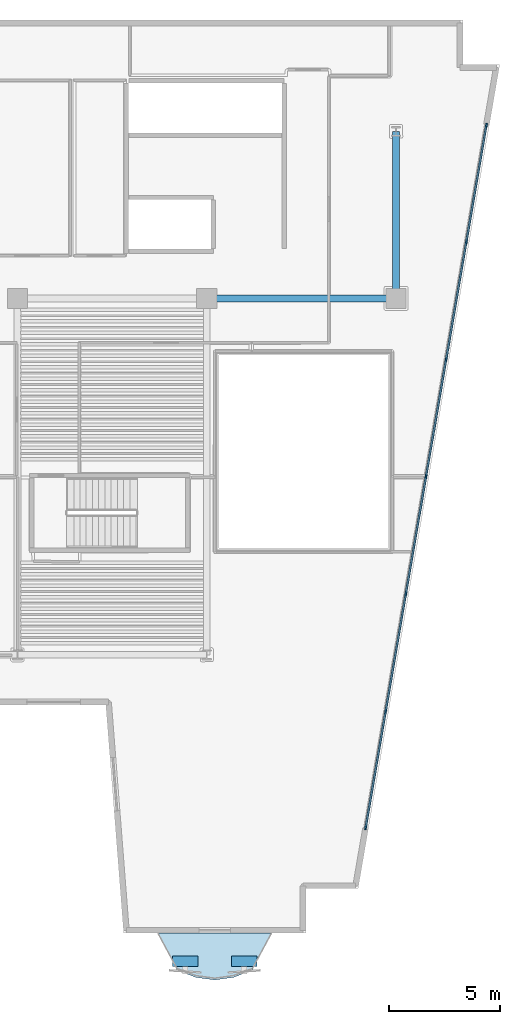
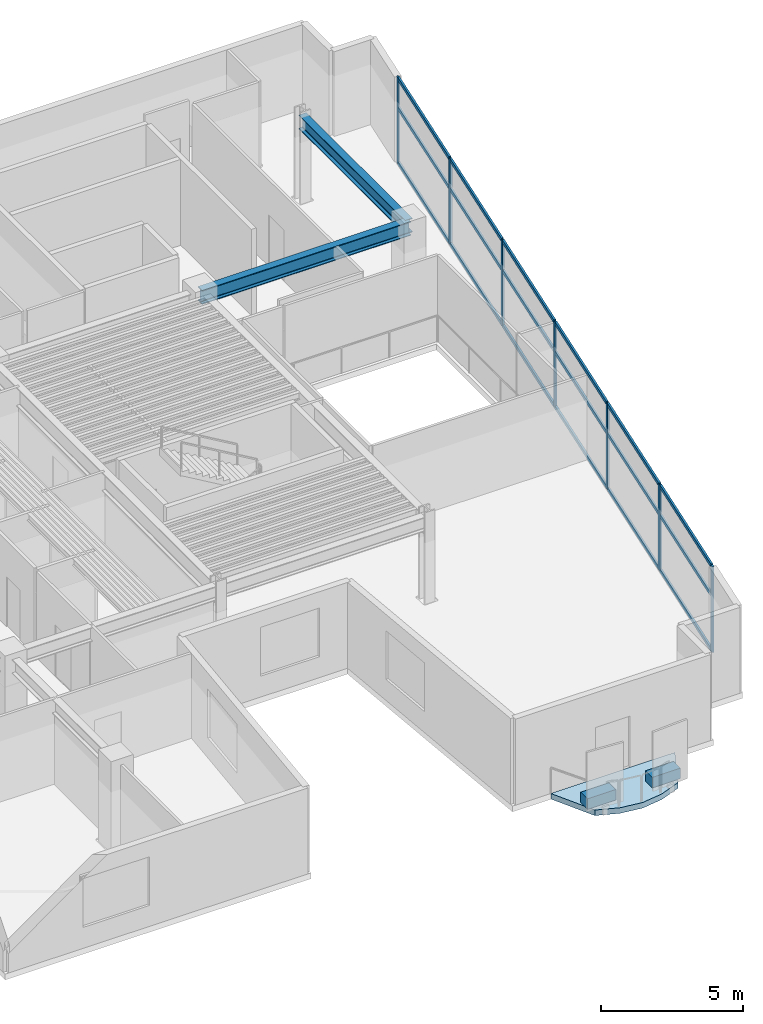
# One storey, part 2 of 10: 25 members, 2 beams, 2 plates, 1 slab, 1 element without a shape of its own.
"""IFC4 building model written with IfcOpenShell, lengths in metres."""

from ifc_helpers import new_model, si_unit, direction, frame, origin, origin_2d, place, context, subcontext, project, spatial, polyline, rectangle, i_section, outline, extrude, material, layer, layer_set, material_profile, profile_set, type_object, element, aggregate, save


model = new_model("IFC4")

# Units and contexts
model_context = context("Model", 3, precision=1e-05, world=origin(), true_north=direction((0.0, 1.0)))
body_context = subcontext(model_context, "Body", "Model", "MODEL_VIEW")
ifc_project = project(units=[si_unit("LENGTHUNIT", "METRE"), si_unit("AREAUNIT", "SQUARE_METRE"), si_unit("VOLUMEUNIT", "CUBIC_METRE"), si_unit("PLANEANGLEUNIT", "RADIAN"), si_unit("MASSUNIT", "GRAM", prefix="KILO")], contexts=[model_context])

# Site, building, storey
site_placement = place(None, origin())
site = spatial("IfcSite", under=ifc_project, at=site_placement, CompositionType="ELEMENT")
building_placement = place(site_placement, origin())
building = spatial("IfcBuilding", under=site, at=building_placement, Name="Caeloran Harvest Quay", CompositionType="ELEMENT")
storey_placement = place(building_placement, frame((0.0, 0.0, 183.75)))
storey = spatial("IfcBuildingStorey", under=building, at=storey_placement, Name="L43", CompositionType="ELEMENT", Elevation=183.75)

# Beams
ifc_material_1 = material(Name="Steel S355J2", Category="steel")
ifc_material_profile_1 = material_profile(ifc_material_1, i_section(OverallWidth=0.300048828125, OverallDepth=0.60009765625, WebThickness=0.015380859375, FlangeThickness=0.030029296875, FilletRadius=0.027099609375, at=origin_2d()), Name="HE 600 B")
ifc_profile_set_1 = profile_set([ifc_material_profile_1], Name="Steel S355J2")
beam_type = type_object("IfcBeamType", Name="BM-PG-3-HE_600_B", PredefinedType="BEAM", material=ifc_profile_set_1)
beam_1_placement = place(storey_placement, frame((34.0, 31.0, 3.39990234375), z_axis=(1.0, 0.0, 0.0), x_axis=(0.0, 1.0, 0.0)))
element("IfcBeam", 1, at=beam_1_placement, inside=storey, type_object=beam_type, Name="L43 Primary East-West Girder Y=31.0", PredefinedType="BEAM", context=body_context, shape_type="SweptSolid", body=[
    extrude(i_section(OverallWidth=0.300048828125, OverallDepth=0.60009765625, WebThickness=0.015380859375, FlangeThickness=0.030029296875, FilletRadius=0.027099609375, at=origin_2d()), origin(), (0.0, 0.0, 1.0), 8.5),
])
beam_2_placement = place(storey_placement, frame((42.5, 31.0, 3.39990234375), z_axis=(0.0, 1.0, 0.0), x_axis=(-1.0, 0.0, 0.0)))
element("IfcBeam", 2, at=beam_2_placement, inside=storey, type_object=beam_type, Name="L43 Primary North-South Girder X=42.5", PredefinedType="BEAM", context=body_context, shape_type="SweptSolid", body=[
    extrude(i_section(OverallWidth=0.300048828125, OverallDepth=0.60009765625, WebThickness=0.015380859375, FlangeThickness=0.030029296875, FilletRadius=0.027099609375, at=origin_2d()), origin(), (0.0, 0.0, 1.0), 7.5),
])

# Curtain wall, members
ifc_material_2 = material(Name="Aluminium 6063-T6 and Low-E Glazing", Category="aluminium")
ifc_layer_1 = layer(ifc_material_2, 0.2099609375, Name="Aluminium 6063-T6 and Low-E Glazing")
ifc_layer_set_1 = layer_set([ifc_layer_1], Name="Aluminium 6063-T6 and Low-E Glazing")
curtain_wall_type = type_object("IfcCurtainWallType", Name="CW-SYS-CW-4", PredefinedType="USERDEFINED", material=ifc_layer_set_1)
curtain_wall_placement = place(storey_placement, origin())
curtain_wall = element("IfcCurtainWall", 3, at=curtain_wall_placement, inside=storey, type_object=curtain_wall_type, Name="L43 Unitised Curtain Wall CW-4 Run 9", ObjectType="CURTAIN_WALL", PredefinedType="USERDEFINED")
ifc_material_3 = material(Name="Aluminium 6063-T6", Category="aluminium")
ifc_material_profile_2 = material_profile(ifc_material_3, rectangle(XDim=0.080078125, YDim=0.179931640625, at=origin_2d()), Name="CW-MULLION-180")
ifc_profile_set_2 = profile_set([ifc_material_profile_2], Name="Aluminium 6063-T6")
member_type_1 = type_object("IfcMemberType", Name="CW-MULLION-180", PredefinedType="MULLION", material=ifc_profile_set_2)
member_1_placement = place(storey_placement, frame((46.5546875, 38.76806640625, 0.0), z_axis=(0.0, 0.0, 1.0), x_axis=(0.985548695604, -0.169392351048, 0.0)))
member_1 = element("IfcMember", 4, at=member_1_placement, type_object=member_type_1, Name="CW-4 mullion 1", PredefinedType="MULLION", context=body_context, shape_type="SweptSolid", body=[
    extrude(rectangle(XDim=0.080078125, YDim=0.179931640625, at=origin_2d()), origin(), (0.0, 0.0, 1.0), 3.699951171875),
])
member_2_placement = place(storey_placement, frame((45.65576171875, 33.538330078125, 0.0), z_axis=(0.0, 0.0, 1.0), x_axis=(0.985548695604, -0.169392351048, 0.0)))
member_2 = element("IfcMember", 5, at=member_2_placement, type_object=member_type_1, Name="CW-4 mullion 2", PredefinedType="MULLION", context=body_context, shape_type="SweptSolid", body=[
    extrude(rectangle(XDim=0.080078125, YDim=0.179931640625, at=origin_2d()), origin(), (0.0, 0.0, 1.0), 3.699951171875),
])
member_3_placement = place(storey_placement, frame((44.750244140625, 28.269287109375, 0.0), z_axis=(0.0, 0.0, 1.0), x_axis=(0.985548695604, -0.169392351048, 0.0)))
member_3 = element("IfcMember", 6, at=member_3_placement, type_object=member_type_1, Name="CW-4 mullion 3", PredefinedType="MULLION", context=body_context, shape_type="SweptSolid", body=[
    extrude(rectangle(XDim=0.080078125, YDim=0.179931640625, at=origin_2d()), origin(), (0.0, 0.0, 1.0), 3.699951171875),
])
member_4_placement = place(storey_placement, frame((43.844482421875, 23.0, 0.0), z_axis=(0.0, 0.0, 1.0), x_axis=(0.985548695604, -0.169392351048, 0.0)))
member_4 = element("IfcMember", 7, at=member_4_placement, type_object=member_type_1, Name="CW-4 mullion 4", PredefinedType="MULLION", context=body_context, shape_type="SweptSolid", body=[
    extrude(rectangle(XDim=0.080078125, YDim=0.179931640625, at=origin_2d()), origin(), (0.0, 0.0, 1.0), 3.699951171875),
])
member_5_placement = place(storey_placement, frame((42.93896484375, 17.730712890625, 0.0), z_axis=(0.0, 0.0, 1.0), x_axis=(0.985548695604, -0.169392351048, 0.0)))
member_5 = element("IfcMember", 8, at=member_5_placement, type_object=member_type_1, Name="CW-4 mullion 5", PredefinedType="MULLION", context=body_context, shape_type="SweptSolid", body=[
    extrude(rectangle(XDim=0.080078125, YDim=0.179931640625, at=origin_2d()), origin(), (0.0, 0.0, 1.0), 3.699951171875),
])
member_6_placement = place(storey_placement, frame((42.033203125, 12.461669921875, 0.0), z_axis=(0.0, 0.0, 1.0), x_axis=(0.985548695604, -0.169392351048, 0.0)))
member_6 = element("IfcMember", 9, at=member_6_placement, type_object=member_type_1, Name="CW-4 mullion 6", PredefinedType="MULLION", context=body_context, shape_type="SweptSolid", body=[
    extrude(rectangle(XDim=0.080078125, YDim=0.179931640625, at=origin_2d()), origin(), (0.0, 0.0, 1.0), 3.699951171875),
])
member_7_placement = place(storey_placement, frame((41.13427734375, 7.23193359375, 0.0), z_axis=(0.0, 0.0, 1.0), x_axis=(0.985548695604, -0.169392351048, 0.0)))
member_7 = element("IfcMember", 10, at=member_7_placement, type_object=member_type_1, Name="CW-4 mullion 7", PredefinedType="MULLION", context=body_context, shape_type="SweptSolid", body=[
    extrude(rectangle(XDim=0.080078125, YDim=0.179931640625, at=origin_2d()), origin(), (0.0, 0.0, 1.0), 3.699951171875),
])
ifc_material_profile_3 = material_profile(ifc_material_3, rectangle(XDim=0.080078125, YDim=0.14990234375, at=origin_2d()), Name="CW-TRANSOM-150")
ifc_profile_set_3 = profile_set([ifc_material_profile_3], Name="Aluminium 6063-T6")
member_type_2 = type_object("IfcMemberType", Name="CW-TRANSOM-150", PredefinedType="USERDEFINED", material=ifc_profile_set_3)
member_8_placement = place(storey_placement, frame((46.5478515625, 38.728759765625, 0.0400390625), z_axis=(-0.169381290327, -0.985550596614, 0.0), x_axis=(0.985550596614, -0.169381290327, 0.0)))
member_8 = element("IfcMember", 11, at=member_8_placement, type_object=member_type_2, Name="CW-4 transom 1.1", ObjectType="TRANSOM", PredefinedType="USERDEFINED", context=body_context, shape_type="SweptSolid", body=[
    extrude(rectangle(XDim=0.080078125, YDim=0.14990234375, at=origin_2d()), origin(), (0.0, 0.0, 1.0), 5.226318359375),
])
member_9_placement = place(storey_placement, frame((46.5478515625, 38.728759765625, 2.39990234375), z_axis=(-0.169381290327, -0.985550596614, 0.0), x_axis=(0.985550596614, -0.169381290327, 0.0)))
member_9 = element("IfcMember", 12, at=member_9_placement, type_object=member_type_2, Name="CW-4 transom 1.2", ObjectType="TRANSOM", PredefinedType="USERDEFINED", context=body_context, shape_type="SweptSolid", body=[
    extrude(rectangle(XDim=0.080078125, YDim=0.14990234375, at=origin_2d()), origin(), (0.0, 0.0, 1.0), 5.226318359375),
])
member_10_placement = place(storey_placement, frame((46.5478515625, 38.728759765625, 3.659912109375), z_axis=(-0.169381290327, -0.985550596614, 0.0), x_axis=(0.985550596614, -0.169381290327, 0.0)))
member_10 = element("IfcMember", 13, at=member_10_placement, type_object=member_type_2, Name="CW-4 transom 1.3", ObjectType="TRANSOM", PredefinedType="USERDEFINED", context=body_context, shape_type="SweptSolid", body=[
    extrude(rectangle(XDim=0.080078125, YDim=0.14990234375, at=origin_2d()), origin(), (0.0, 0.0, 1.0), 5.226318359375),
])
member_11_placement = place(storey_placement, frame((45.649169921875, 33.4990234375, 0.0400390625), z_axis=(-0.169388401421, -0.985549374442, 0.0), x_axis=(0.985549374442, -0.169388401421, 0.0)))
member_11 = element("IfcMember", 14, at=member_11_placement, type_object=member_type_2, Name="CW-4 transom 2.1", ObjectType="TRANSOM", PredefinedType="USERDEFINED", context=body_context, shape_type="SweptSolid", body=[
    extrude(rectangle(XDim=0.080078125, YDim=0.14990234375, at=origin_2d()), origin(), (0.0, 0.0, 1.0), 5.2666015625),
])
member_12_placement = place(storey_placement, frame((45.649169921875, 33.4990234375, 2.39990234375), z_axis=(-0.169388401421, -0.985549374442, 0.0), x_axis=(0.985549374442, -0.169388401421, 0.0)))
member_12 = element("IfcMember", 15, at=member_12_placement, type_object=member_type_2, Name="CW-4 transom 2.2", ObjectType="TRANSOM", PredefinedType="USERDEFINED", context=body_context, shape_type="SweptSolid", body=[
    extrude(rectangle(XDim=0.080078125, YDim=0.14990234375, at=origin_2d()), origin(), (0.0, 0.0, 1.0), 5.2666015625),
])
member_13_placement = place(storey_placement, frame((45.649169921875, 33.4990234375, 3.659912109375), z_axis=(-0.169388401421, -0.985549374442, 0.0), x_axis=(0.985549374442, -0.169388401421, 0.0)))
member_13 = element("IfcMember", 16, at=member_13_placement, type_object=member_type_2, Name="CW-4 transom 2.3", ObjectType="TRANSOM", PredefinedType="USERDEFINED", context=body_context, shape_type="SweptSolid", body=[
    extrude(rectangle(XDim=0.080078125, YDim=0.14990234375, at=origin_2d()), origin(), (0.0, 0.0, 1.0), 5.2666015625),
])
member_14_placement = place(storey_placement, frame((44.743408203125, 28.229736328125, 0.0400390625), z_axis=(-0.169388401421, -0.985549374442, 0.0), x_axis=(0.985549374442, -0.169388401421, 0.0)))
member_14 = element("IfcMember", 17, at=member_14_placement, type_object=member_type_2, Name="CW-4 transom 3.1", ObjectType="TRANSOM", PredefinedType="USERDEFINED", context=body_context, shape_type="SweptSolid", body=[
    extrude(rectangle(XDim=0.080078125, YDim=0.14990234375, at=origin_2d()), origin(), (0.0, 0.0, 1.0), 5.2666015625),
])
member_15_placement = place(storey_placement, frame((44.743408203125, 28.229736328125, 2.39990234375), z_axis=(-0.169388401421, -0.985549374442, 0.0), x_axis=(0.985549374442, -0.169388401421, 0.0)))
member_15 = element("IfcMember", 18, at=member_15_placement, type_object=member_type_2, Name="CW-4 transom 3.2", ObjectType="TRANSOM", PredefinedType="USERDEFINED", context=body_context, shape_type="SweptSolid", body=[
    extrude(rectangle(XDim=0.080078125, YDim=0.14990234375, at=origin_2d()), origin(), (0.0, 0.0, 1.0), 5.2666015625),
])
member_16_placement = place(storey_placement, frame((44.743408203125, 28.229736328125, 3.659912109375), z_axis=(-0.169388401421, -0.985549374442, 0.0), x_axis=(0.985549374442, -0.169388401421, 0.0)))
member_16 = element("IfcMember", 19, at=member_16_placement, type_object=member_type_2, Name="CW-4 transom 3.3", ObjectType="TRANSOM", PredefinedType="USERDEFINED", context=body_context, shape_type="SweptSolid", body=[
    extrude(rectangle(XDim=0.080078125, YDim=0.14990234375, at=origin_2d()), origin(), (0.0, 0.0, 1.0), 5.2666015625),
])
member_17_placement = place(storey_placement, frame((43.837890625, 22.960693359375, 0.0400390625), z_axis=(-0.169433427775, -0.985541634611, 0.0), x_axis=(0.985541634611, -0.169433427775, 0.0)))
member_17 = element("IfcMember", 20, at=member_17_placement, type_object=member_type_2, Name="CW-4 transom 4.1", ObjectType="TRANSOM", PredefinedType="USERDEFINED", context=body_context, shape_type="SweptSolid", body=[
    extrude(rectangle(XDim=0.080078125, YDim=0.14990234375, at=origin_2d()), origin(), (0.0, 0.0, 1.0), 5.2666015625),
])
member_18_placement = place(storey_placement, frame((43.837890625, 22.960693359375, 2.39990234375), z_axis=(-0.169433427775, -0.985541634611, 0.0), x_axis=(0.985541634611, -0.169433427775, 0.0)))
member_18 = element("IfcMember", 21, at=member_18_placement, type_object=member_type_2, Name="CW-4 transom 4.2", ObjectType="TRANSOM", PredefinedType="USERDEFINED", context=body_context, shape_type="SweptSolid", body=[
    extrude(rectangle(XDim=0.080078125, YDim=0.14990234375, at=origin_2d()), origin(), (0.0, 0.0, 1.0), 5.2666015625),
])
member_19_placement = place(storey_placement, frame((43.837890625, 22.960693359375, 3.659912109375), z_axis=(-0.169433427775, -0.985541634611, 0.0), x_axis=(0.985541634611, -0.169433427775, 0.0)))
member_19 = element("IfcMember", 22, at=member_19_placement, type_object=member_type_2, Name="CW-4 transom 4.3", ObjectType="TRANSOM", PredefinedType="USERDEFINED", context=body_context, shape_type="SweptSolid", body=[
    extrude(rectangle(XDim=0.080078125, YDim=0.14990234375, at=origin_2d()), origin(), (0.0, 0.0, 1.0), 5.2666015625),
])
member_20_placement = place(storey_placement, frame((42.93212890625, 17.69140625, 0.0400390625), z_axis=(-0.169388401421, -0.985549374442, 0.0), x_axis=(0.985549374442, -0.169388401421, 0.0)))
member_20 = element("IfcMember", 23, at=member_20_placement, type_object=member_type_2, Name="CW-4 transom 5.1", ObjectType="TRANSOM", PredefinedType="USERDEFINED", context=body_context, shape_type="SweptSolid", body=[
    extrude(rectangle(XDim=0.080078125, YDim=0.14990234375, at=origin_2d()), origin(), (0.0, 0.0, 1.0), 5.2666015625),
])
member_21_placement = place(storey_placement, frame((42.93212890625, 17.69140625, 2.39990234375), z_axis=(-0.169388401421, -0.985549374442, 0.0), x_axis=(0.985549374442, -0.169388401421, 0.0)))
member_21 = element("IfcMember", 24, at=member_21_placement, type_object=member_type_2, Name="CW-4 transom 5.2", ObjectType="TRANSOM", PredefinedType="USERDEFINED", context=body_context, shape_type="SweptSolid", body=[
    extrude(rectangle(XDim=0.080078125, YDim=0.14990234375, at=origin_2d()), origin(), (0.0, 0.0, 1.0), 5.2666015625),
])
member_22_placement = place(storey_placement, frame((42.93212890625, 17.69140625, 3.659912109375), z_axis=(-0.169388401421, -0.985549374442, 0.0), x_axis=(0.985549374442, -0.169388401421, 0.0)))
member_22 = element("IfcMember", 25, at=member_22_placement, type_object=member_type_2, Name="CW-4 transom 5.3", ObjectType="TRANSOM", PredefinedType="USERDEFINED", context=body_context, shape_type="SweptSolid", body=[
    extrude(rectangle(XDim=0.080078125, YDim=0.14990234375, at=origin_2d()), origin(), (0.0, 0.0, 1.0), 5.2666015625),
])
member_23_placement = place(storey_placement, frame((42.0263671875, 12.422119140625, 0.0400390625), z_axis=(-0.169381290327, -0.985550596614, 0.0), x_axis=(0.985550596614, -0.169381290327, 0.0)))
member_23 = element("IfcMember", 26, at=member_23_placement, type_object=member_type_2, Name="CW-4 transom 6.1", ObjectType="TRANSOM", PredefinedType="USERDEFINED", context=body_context, shape_type="SweptSolid", body=[
    extrude(rectangle(XDim=0.080078125, YDim=0.14990234375, at=origin_2d()), origin(), (0.0, 0.0, 1.0), 5.226318359375),
])
member_24_placement = place(storey_placement, frame((42.0263671875, 12.422119140625, 2.39990234375), z_axis=(-0.169381290327, -0.985550596614, 0.0), x_axis=(0.985550596614, -0.169381290327, 0.0)))
member_24 = element("IfcMember", 27, at=member_24_placement, type_object=member_type_2, Name="CW-4 transom 6.2", ObjectType="TRANSOM", PredefinedType="USERDEFINED", context=body_context, shape_type="SweptSolid", body=[
    extrude(rectangle(XDim=0.080078125, YDim=0.14990234375, at=origin_2d()), origin(), (0.0, 0.0, 1.0), 5.226318359375),
])
member_25_placement = place(storey_placement, frame((42.0263671875, 12.422119140625, 3.659912109375), z_axis=(-0.169381290327, -0.985550596614, 0.0), x_axis=(0.985550596614, -0.169381290327, 0.0)))
member_25 = element("IfcMember", 28, at=member_25_placement, type_object=member_type_2, Name="CW-4 transom 6.3", ObjectType="TRANSOM", PredefinedType="USERDEFINED", context=body_context, shape_type="SweptSolid", body=[
    extrude(rectangle(XDim=0.080078125, YDim=0.14990234375, at=origin_2d()), origin(), (0.0, 0.0, 1.0), 5.226318359375),
])
aggregate(curtain_wall, [member_1, member_2, member_3, member_4, member_5, member_6, member_7, member_8, member_9, member_10, member_11, member_12, member_13, member_14, member_15, member_16, member_17, member_18, member_19, member_20, member_21, member_22, member_23, member_24, member_25])

# Slab
ifc_material_4 = material(Name="Concrete C50/60", Category="concrete")
ifc_layer_2 = layer(ifc_material_4, 0.239990234375, Name="Concrete C50/60")
ifc_layer_set_2 = layer_set([ifc_layer_2], Name="Concrete C50/60")
slab_type = type_object("IfcSlabType", Name="BALCONY-BL-240", PredefinedType="FLOOR", material=ifc_layer_set_2)
slab_placement = place(storey_placement, frame((0.0, 0.0, -0.239990234375)))
element("IfcSlab", 29, at=slab_placement, inside=storey, type_object=slab_type, Name="L43 Scalloped Cantilevered Planted Balcony Slab", PredefinedType="FLOOR", context=body_context, shape_type="SweptSolid", body=[
    extrude(outline(polyline([(36.048828125, 0.839599609375), (35.20263671875, 0.51708984375), (34.3564453125, 0.39892578125), (33.51025390625, 0.51708984375), (32.664306640625, 0.839599609375), (31.828125, 2.5), (36.885009765625, 2.5), (36.048828125, 0.839599609375)])), origin(), (0.0, 0.0, 1.0), 0.239990234375),
])

# Plates
ifc_material_5 = material(Name="Precast concrete C50/60", Category="concrete")
ifc_layer_3 = layer(ifc_material_5, 0.449951171875, Name="Precast concrete C50/60")
ifc_layer_set_3 = layer_set([ifc_layer_3], Name="Precast concrete C50/60")
plate_type = type_object("IfcPlateType", Name="PLANTER-TROUGH-450", PredefinedType="USERDEFINED", material=ifc_layer_set_3)
for number, where, z_axis, x_axis, name in (
    (30, (35.676513671875, 1.246826171875, 0.0), (0.0, 0.0, 1.0), (1.0, 0.0, 0.0), "L43 Balcony Vertical-Greenery Precast PLANTER Trough 1"),
    (31, (33.03662109375, 1.246826171875, 0.0), (0.0, 0.0, 1.0), (1.0, 0.0, 0.0), "L43 Balcony Vertical-Greenery Precast PLANTER Trough 2"),
):
    element("IfcPlate", number, at=place(storey_placement, frame(where, z_axis=z_axis, x_axis=x_axis)), inside=storey, type_object=plate_type, Name=name, ObjectType="PLANTER", PredefinedType="USERDEFINED", context=body_context, shape_type="SweptSolid", body=[
        extrude(rectangle(XDim=1.14990234375, YDim=0.47998046875, at=origin_2d()), origin(), (0.0, 0.0, 1.0), 0.449951171875),
    ])

save(model, "model.ifc")
